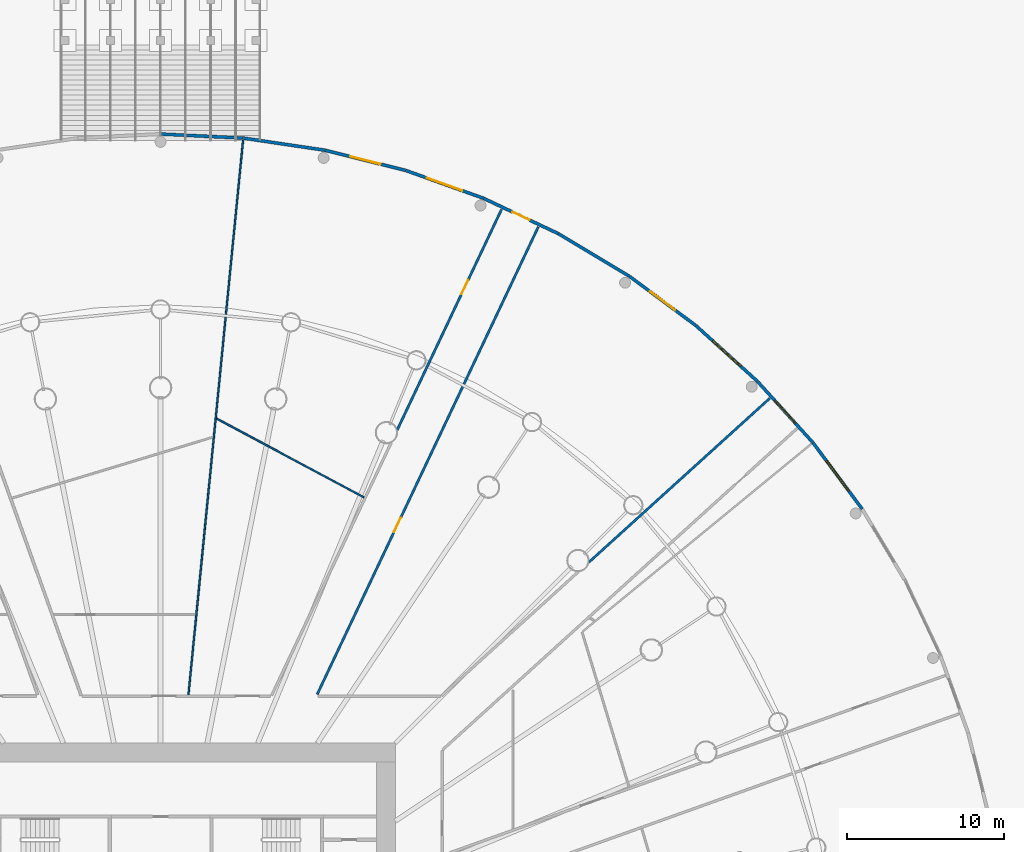
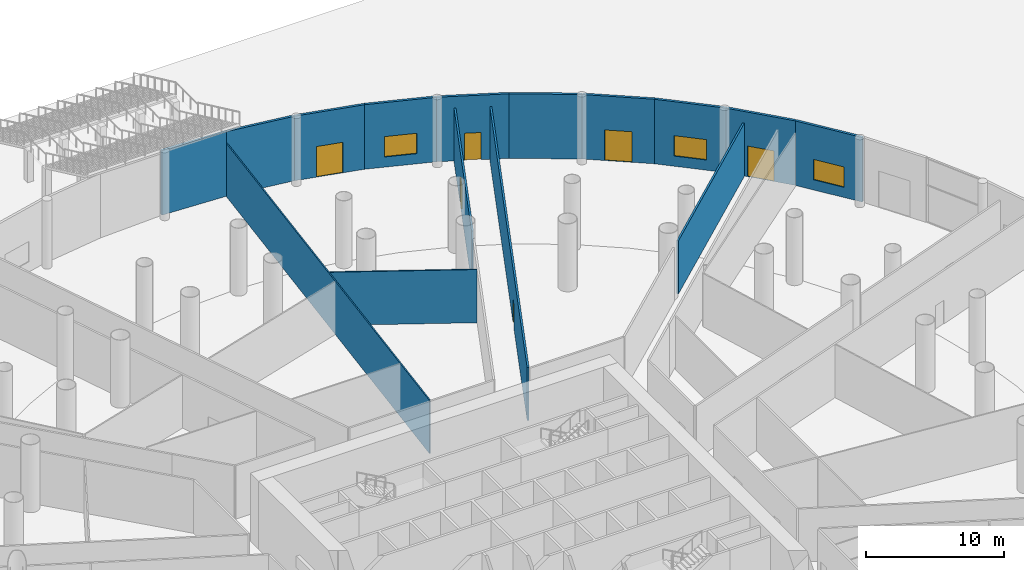
# One storey, part 23 of 33: 15 walls, 6 doors, 3 windows, 9 openings.
"""IFC4 building model written with IfcOpenShell, lengths in metres."""

from ifc_helpers import new_model, si_unit, direction, frame, frame_2d, origin, place, context, subcontext, project, spatial, rectangle, extrude, material, layer, layer_set, type_object, element, fill, save


model = new_model("IFC4")

# Units and contexts
model_context = context("Model", 3, precision=1e-05, world=origin(), true_north=direction((0.0, 1.0)))
body_context = subcontext(model_context, "Body", "Model", "MODEL_VIEW")
ifc_project = project(units=[si_unit("LENGTHUNIT", "METRE"), si_unit("AREAUNIT", "SQUARE_METRE"), si_unit("VOLUMEUNIT", "CUBIC_METRE"), si_unit("PLANEANGLEUNIT", "RADIAN"), si_unit("MASSUNIT", "GRAM", prefix="KILO")], contexts=[model_context])

# Site, building, storey
site_placement = place(None, origin())
site = spatial("IfcSite", under=ifc_project, at=site_placement, CompositionType="ELEMENT")
building_placement = place(site_placement, origin())
building = spatial("IfcBuilding", under=site, at=building_placement, Name="Corvane Civic Tower", CompositionType="ELEMENT")
storey_placement = place(building_placement, origin())
storey = spatial("IfcBuildingStorey", under=building, at=storey_placement, Name="G", CompositionType="ELEMENT", Elevation=0.0)

# Walls
ifc_material_1 = material(Name="Limestone cladding", Category="masonry")
ifc_layer_1 = layer(ifc_material_1, 0.199951171875)
ifc_layer_set_1 = layer_set([ifc_layer_1], Name="Limestone cladding")
wall_type_1 = type_object("IfcWallType", Name="PODIUM-W-PLINTH-200", PredefinedType="SOLIDWALL", material=ifc_layer_set_1)
for number, where, z_axis, x_axis, name in (
    (1, (0.005126953125, 53.899658203125, 0.0), (0.0, 0.0, 1.0), (0.998795550715, -0.0490657505, 0.0), "Plinth stone wall 01A"),
    (2, (5.2880859375, 53.6396484375, 0.0), (0.0, 0.0, 1.0), (0.989175884212, -0.146734692875, 0.0), "Plinth stone wall 01B"),
):
    element("IfcWall", number, at=place(storey_placement, frame(where, z_axis=z_axis, x_axis=x_axis)), inside=storey, type_object=wall_type_1, Name=name, PredefinedType="SOLIDWALL", context=body_context, shape_type="SweptSolid", body=[
        extrude(rectangle(XDim=5.279296875, YDim=0.199951171875, at=frame_2d((2.6396484375, 0.0))), origin(), (0.0, 0.0, 1.0), 5.699951171875),
    ])

# Wall, opening, door
wall_1_placement = place(storey_placement, frame((10.520263671875, 52.863037109375, 0.0), z_axis=(0.0, 0.0, 1.0), x_axis=(0.970022690602, -0.243014361132, 0.0)))
wall_1 = element("IfcWall", 3, at=wall_1_placement, inside=storey, type_object=wall_type_1, Name="Plinth stone wall 02A", PredefinedType="SOLIDWALL", context=body_context, shape_type="SweptSolid", body=[
    extrude(rectangle(XDim=5.279296875, YDim=0.199951171875, at=frame_2d((2.6396484375, 0.0))), origin(), (0.0, 0.0, 1.0), 5.699951171875),
])
opening_1_placement = place(wall_1_placement, frame((1.6396484375, 0.0, 0.0)))
opening_1 = element("IfcOpeningElement", 4, at=opening_1_placement, cuts=wall_1, Name="Opening ED-G-X02", PredefinedType="OPENING", context=body_context, shape_type="SweptSolid", body=[
    extrude(rectangle(XDim=2.0, YDim=2.699951171875, at=frame_2d((1.0, 1.35009765625))), frame((0.0, 0.10986328125, 0.0), z_axis=(0.0, -1.0, 0.0), x_axis=(1.0, 0.0, 0.0)), (0.0, 0.0, 1.0), 0.219970703125),
])
ifc_material_2 = material(Name="Anodised aluminium and glass", Category="aluminium")
door_type_1 = type_object("IfcDoorType", Name="PODIUM-D-EXIT-2000", OperationType="DOUBLE_DOOR_SINGLE_SWING", PredefinedType="DOOR", material=ifc_material_2)
door_1_placement = place(opening_1_placement, origin())
door_1 = element("IfcDoor", 5, at=door_1_placement, inside=storey, type_object=door_type_1, Name="Exit door 02", OperationType="DOUBLE_DOOR_SINGLE_SWING", OverallHeight=2.699951171875, OverallWidth=2.0, PredefinedType="DOOR", context=body_context, shape_type="SweptSolid", body=[
    extrude(rectangle(XDim=2.0, YDim=2.699951171875, at=frame_2d((1.0, 1.35009765625))), frame((0.0, 0.02490234375, 0.0), z_axis=(0.0, -1.0, 0.0), x_axis=(1.0, 0.0, 0.0)), (0.0, 0.0, 1.0), 0.050048828125),
])
fill(opening_1, door_1)

# Wall, opening, window
wall_2_placement = place(storey_placement, frame((15.65087890625, 51.577392578125, 0.0), z_axis=(0.0, 0.0, 1.0), x_axis=(0.941528288028, -0.336933944331, 0.0)))
wall_2 = element("IfcWall", 6, at=wall_2_placement, inside=storey, type_object=wall_type_1, Name="Plinth stone wall 02B", PredefinedType="SOLIDWALL", context=body_context, shape_type="SweptSolid", body=[
    extrude(rectangle(XDim=5.279296875, YDim=0.199951171875, at=frame_2d((2.6396484375, 0.0))), origin(), (0.0, 0.0, 1.0), 5.699951171875),
])
opening_2_placement = place(wall_2_placement, frame((1.439697265625, 0.0, 0.89990234375)))
opening_2 = element("IfcOpeningElement", 7, at=opening_2_placement, cuts=wall_2, Name="Opening EW-G-02", PredefinedType="OPENING", context=body_context, shape_type="SweptSolid", body=[
    extrude(rectangle(XDim=2.39990234375, YDim=1.800048828125, at=frame_2d((1.199951171875, 0.89990234375))), frame((0.0, 0.10986328125, 0.0), z_axis=(0.0, -1.0, 0.0), x_axis=(1.0, 0.0, 0.0)), (0.0, 0.0, 1.0), 0.219970703125),
])
ifc_material_3 = material(Name="Anodised aluminium and glass", Category="aluminium")
window_type = type_object("IfcWindowType", Name="PODIUM-WN-PLINTH-2400x1800", PartitioningType="DOUBLE_PANEL_VERTICAL", PredefinedType="WINDOW", material=ifc_material_3)
window_1_placement = place(opening_2_placement, origin())
window_1 = element("IfcWindow", 8, at=window_1_placement, inside=storey, type_object=window_type, Name="Public hall window 02", OverallHeight=1.800048828125, OverallWidth=2.39990234375, PartitioningType="SINGLE_PANEL", PredefinedType="WINDOW", context=body_context, shape_type="SweptSolid", body=[
    extrude(rectangle(XDim=2.39990234375, YDim=1.800048828125, at=frame_2d((1.199951171875, 0.89990234375))), frame((0.0, 0.030029296875, 0.0), z_axis=(0.0, -1.0, 0.0), x_axis=(1.0, 0.0, 0.0)), (0.0, 0.0, 1.0), 0.06005859375),
])
fill(opening_2, window_1)

# Wall, opening, door
wall_3_placement = place(storey_placement, frame((20.631103515625, 49.794677734375, 0.0), z_axis=(0.0, 0.0, 1.0), x_axis=(0.903998505851, -0.427535614211, 0.0)))
wall_3 = element("IfcWall", 9, at=wall_3_placement, inside=storey, type_object=wall_type_1, Name="Plinth stone wall 03A", PredefinedType="SOLIDWALL", context=body_context, shape_type="SweptSolid", body=[
    extrude(rectangle(XDim=5.279296875, YDim=0.199951171875, at=frame_2d((2.6396484375, 0.0))), origin(), (0.0, 0.0, 1.0), 5.699951171875),
])
opening_3_placement = place(wall_3_placement, frame((2.03955078125, 0.0, 0.0)))
opening_3 = element("IfcOpeningElement", 10, at=opening_3_placement, cuts=wall_3, Name="Opening ED-G-S03", PredefinedType="OPENING", context=body_context, shape_type="SweptSolid", body=[
    extrude(rectangle(XDim=1.199951171875, YDim=2.39990234375, at=frame_2d((0.60009765625, 1.199951171875))), frame((0.0, 0.10986328125, 0.0), z_axis=(0.0, -1.0, 0.0), x_axis=(1.0, 0.0, 0.0)), (0.0, 0.0, 1.0), 0.219970703125),
])
ifc_material_4 = material(Name="Galvanised steel", Category="steel")
door_type_2 = type_object("IfcDoorType", Name="PODIUM-D-SERVICE-1200", OperationType="SINGLE_SWING_LEFT", PredefinedType="DOOR", material=ifc_material_4)
door_2_placement = place(opening_3_placement, origin())
door_2 = element("IfcDoor", 11, at=door_2_placement, inside=storey, type_object=door_type_2, Name="Service door 03", OperationType="SINGLE_SWING_RIGHT", OverallHeight=2.39990234375, OverallWidth=1.199951171875, PredefinedType="DOOR", context=body_context, shape_type="SweptSolid", body=[
    extrude(rectangle(XDim=1.199951171875, YDim=2.39990234375, at=frame_2d((0.60009765625, 1.199951171875))), frame((0.0, 0.02490234375, 0.0), z_axis=(0.0, -1.0, 0.0), x_axis=(1.0, 0.0, 0.0)), (0.0, 0.0, 1.0), 0.050048828125),
])
fill(opening_3, door_2)

# Wall
wall_4_placement = place(storey_placement, frame((25.41259765625, 47.532958984375, 0.0), z_axis=(0.0, 0.0, 1.0), x_axis=(0.857721349929, -0.514114856697, 0.0)))
element("IfcWall", 12, at=wall_4_placement, inside=storey, type_object=wall_type_1, Name="Plinth stone wall 03B", PredefinedType="SOLIDWALL", context=body_context, shape_type="SweptSolid", body=[
    extrude(rectangle(XDim=5.279296875, YDim=0.199951171875, at=frame_2d((2.6396484375, 0.0))), origin(), (0.0, 0.0, 1.0), 5.699951171875),
])

# Wall, opening, door
wall_5_placement = place(storey_placement, frame((29.94921875, 44.81298828125, 0.0), z_axis=(0.0, 0.0, 1.0), x_axis=(0.803223646903, -0.595677574746, 0.0)))
wall_5 = element("IfcWall", 13, at=wall_5_placement, inside=storey, type_object=wall_type_1, Name="Plinth stone wall 04A", PredefinedType="SOLIDWALL", context=body_context, shape_type="SweptSolid", body=[
    extrude(rectangle(XDim=5.279296875, YDim=0.199951171875, at=frame_2d((2.6396484375, 0.0))), origin(), (0.0, 0.0, 1.0), 5.699951171875),
])
opening_4_placement = place(wall_5_placement, frame((1.6396484375, 0.0, 0.0)))
opening_4 = element("IfcOpeningElement", 14, at=opening_4_placement, cuts=wall_5, Name="Opening ED-G-X04", PredefinedType="OPENING", context=body_context, shape_type="SweptSolid", body=[
    extrude(rectangle(XDim=2.0, YDim=2.699951171875, at=frame_2d((1.0, 1.35009765625))), frame((0.0, 0.10986328125, 0.0), z_axis=(0.0, -1.0, 0.0), x_axis=(1.0, 0.0, 0.0)), (0.0, 0.0, 1.0), 0.219970703125),
])
door_3_placement = place(opening_4_placement, origin())
door_3 = element("IfcDoor", 15, at=door_3_placement, inside=storey, type_object=door_type_1, Name="Exit door 04", OperationType="DOUBLE_DOOR_SINGLE_SWING", OverallHeight=2.699951171875, OverallWidth=2.0, PredefinedType="DOOR", context=body_context, shape_type="SweptSolid", body=[
    extrude(rectangle(XDim=2.0, YDim=2.699951171875, at=frame_2d((1.0, 1.35009765625))), frame((0.0, 0.02490234375, 0.0), z_axis=(0.0, -1.0, 0.0), x_axis=(1.0, 0.0, 0.0)), (0.0, 0.0, 1.0), 0.050048828125),
])
fill(opening_4, door_3)

# Wall, opening, window
wall_6_placement = place(storey_placement, frame((34.197509765625, 41.661865234375, 0.0), z_axis=(0.0, 0.0, 1.0), x_axis=(0.740960345318, -0.671548782045, 0.0)))
wall_6 = element("IfcWall", 16, at=wall_6_placement, inside=storey, type_object=wall_type_1, Name="Plinth stone wall 04B", PredefinedType="SOLIDWALL", context=body_context, shape_type="SweptSolid", body=[
    extrude(rectangle(XDim=5.279541015625, YDim=0.199951171875, at=frame_2d((2.6396484375, 0.0))), origin(), (0.0, 0.0, 1.0), 5.699951171875),
])
opening_5_placement = place(wall_6_placement, frame((1.439697265625, 0.0, 0.89990234375)))
opening_5 = element("IfcOpeningElement", 17, at=opening_5_placement, cuts=wall_6, Name="Opening EW-G-04", PredefinedType="OPENING", context=body_context, shape_type="SweptSolid", body=[
    extrude(rectangle(XDim=2.39990234375, YDim=1.800048828125, at=frame_2d((1.199951171875, 0.89990234375))), frame((0.0, 0.10986328125, 0.0), z_axis=(0.0, -1.0, 0.0), x_axis=(1.0, 0.0, 0.0)), (0.0, 0.0, 1.0), 0.219970703125),
])
window_2_placement = place(opening_5_placement, origin())
window_2 = element("IfcWindow", 18, at=window_2_placement, inside=storey, type_object=window_type, Name="Public hall window 04", OverallHeight=1.800048828125, OverallWidth=2.39990234375, PartitioningType="SINGLE_PANEL", PredefinedType="WINDOW", context=body_context, shape_type="SweptSolid", body=[
    extrude(rectangle(XDim=2.39990234375, YDim=1.800048828125, at=frame_2d((1.199951171875, 0.89990234375))), frame((0.0, 0.030029296875, 0.0), z_axis=(0.0, -1.0, 0.0), x_axis=(1.0, 0.0, 0.0)), (0.0, 0.0, 1.0), 0.06005859375),
])
fill(opening_5, window_2)

# Wall, opening, door
wall_7_placement = place(storey_placement, frame((38.116455078125, 38.109375, 0.0), z_axis=(0.0, 0.0, 1.0), x_axis=(0.671548782045, -0.740960345318, 0.0)))
wall_7 = element("IfcWall", 19, at=wall_7_placement, inside=storey, type_object=wall_type_1, Name="Plinth stone wall 05A", PredefinedType="SOLIDWALL", context=body_context, shape_type="SweptSolid", body=[
    extrude(rectangle(XDim=5.279541015625, YDim=0.199951171875, at=frame_2d((2.6396484375, 0.0))), origin(), (0.0, 0.0, 1.0), 5.699951171875),
])
opening_6_placement = place(wall_7_placement, frame((1.6396484375, 0.0, 0.0)))
opening_6 = element("IfcOpeningElement", 20, at=opening_6_placement, cuts=wall_7, Name="Opening ED-G-X05", PredefinedType="OPENING", context=body_context, shape_type="SweptSolid", body=[
    extrude(rectangle(XDim=2.0, YDim=2.699951171875, at=frame_2d((1.0, 1.35009765625))), frame((0.0, 0.10986328125, 0.0), z_axis=(0.0, -1.0, 0.0), x_axis=(1.0, 0.0, 0.0)), (0.0, 0.0, 1.0), 0.219970703125),
])
door_4_placement = place(opening_6_placement, origin())
door_4 = element("IfcDoor", 21, at=door_4_placement, inside=storey, type_object=door_type_1, Name="Exit door 05", OperationType="DOUBLE_DOOR_SINGLE_SWING", OverallHeight=2.699951171875, OverallWidth=2.0, PredefinedType="DOOR", context=body_context, shape_type="SweptSolid", body=[
    extrude(rectangle(XDim=2.0, YDim=2.699951171875, at=frame_2d((1.0, 1.35009765625))), frame((0.0, 0.02490234375, 0.0), z_axis=(0.0, -1.0, 0.0), x_axis=(1.0, 0.0, 0.0)), (0.0, 0.0, 1.0), 0.050048828125),
])
fill(opening_6, door_4)

# Wall, opening, window
wall_8_placement = place(storey_placement, frame((41.668212890625, 34.189697265625, 0.0), z_axis=(0.0, 0.0, 1.0), x_axis=(0.595677574746, -0.803223646903, 0.0)))
wall_8 = element("IfcWall", 22, at=wall_8_placement, inside=storey, type_object=wall_type_1, Name="Plinth stone wall 05B", PredefinedType="SOLIDWALL", context=body_context, shape_type="SweptSolid", body=[
    extrude(rectangle(XDim=5.279296875, YDim=0.199951171875, at=frame_2d((2.6396484375, 0.0))), origin(), (0.0, 0.0, 1.0), 5.699951171875),
])
opening_7_placement = place(wall_8_placement, frame((1.439697265625, 0.0, 0.89990234375)))
opening_7 = element("IfcOpeningElement", 23, at=opening_7_placement, cuts=wall_8, Name="Opening EW-G-05", PredefinedType="OPENING", context=body_context, shape_type="SweptSolid", body=[
    extrude(rectangle(XDim=2.39990234375, YDim=1.800048828125, at=frame_2d((1.199951171875, 0.89990234375))), frame((0.0, 0.10986328125, 0.0), z_axis=(0.0, -1.0, 0.0), x_axis=(1.0, 0.0, 0.0)), (0.0, 0.0, 1.0), 0.219970703125),
])
window_3_placement = place(opening_7_placement, origin())
window_3 = element("IfcWindow", 24, at=window_3_placement, inside=storey, type_object=window_type, Name="Public hall window 05", OverallHeight=1.800048828125, OverallWidth=2.39990234375, PartitioningType="SINGLE_PANEL", PredefinedType="WINDOW", context=body_context, shape_type="SweptSolid", body=[
    extrude(rectangle(XDim=2.39990234375, YDim=1.800048828125, at=frame_2d((1.199951171875, 0.89990234375))), frame((0.0, 0.030029296875, 0.0), z_axis=(0.0, -1.0, 0.0), x_axis=(1.0, 0.0, 0.0)), (0.0, 0.0, 1.0), 0.06005859375),
])
fill(opening_7, window_3)

# Walls
ifc_material_5 = material(Name="Plasterboard")
ifc_layer_2 = layer(ifc_material_5, 0.10009765625)
ifc_layer_set_2 = layer_set([ifc_layer_2], Name="Plasterboard")
wall_type_2 = type_object("IfcWallType", Name="Partition 100 plasterboard on studs", PredefinedType="PARTITIONING", material=ifc_layer_set_2)
wall_9_placement = place(storey_placement, frame((1.78076171875, 18.079833984375, 0.0), z_axis=(0.0, 0.0, 1.0), x_axis=(0.098012481472, 0.995185185519, 0.0)))
element("IfcWall", 25, at=wall_9_placement, inside=storey, type_object=wall_type_2, Name="Partition G.082", PredefinedType="PARTITIONING", context=body_context, shape_type="SweptSolid", body=[
    extrude(rectangle(XDim=35.582763671875, YDim=0.10009765625, at=frame_2d((17.79150390625, 0.0))), origin(), (0.0, 0.0, 1.0), 4.699951171875),
])
wall_10_placement = place(storey_placement, frame((3.587646484375, 35.72021484375, 0.0), z_axis=(0.0, 0.0, 1.0), x_axis=(0.881926089625, -0.471387709258, 0.0)))
element("IfcWall", 26, at=wall_10_placement, inside=storey, type_object=wall_type_2, Name="Partition G.095", PredefinedType="PARTITIONING", context=body_context, shape_type="SweptSolid", body=[
    extrude(rectangle(XDim=10.66455078125, YDim=0.10009765625, at=frame_2d((5.332275390625, 0.0))), origin(), (0.0, 0.0, 1.0), 4.699951171875),
])

# Wall, opening, door
ifc_material_6 = material(Name="Plasterboard")
ifc_layer_3 = layer(ifc_material_6, 0.14990234375)
ifc_layer_set_3 = layer_set([ifc_layer_3], Name="Plasterboard")
wall_type_3 = type_object("IfcWallType", Name="Tenancy wall 150 EI 60", PredefinedType="PARTITIONING", material=ifc_layer_set_3)
wall_11_placement = place(storey_placement, frame((10.002197265625, 18.107177734375, 0.0), z_axis=(0.0, 0.0, 1.0), x_axis=(0.427554865674, 0.903989400844, 0.0)))
wall_11 = element("IfcWall", 27, at=wall_11_placement, inside=storey, type_object=wall_type_3, Name="Partition G.084", PredefinedType="PARTITIONING", context=body_context, shape_type="SweptSolid", body=[
    extrude(rectangle(XDim=33.0400390625, YDim=0.14990234375, at=frame_2d((16.52001953125, 0.0))), origin(), (0.0, 0.0, 1.0), 4.699951171875),
])
opening_8_placement = place(wall_11_placement, frame((11.483154296875, 0.0, 0.0)))
opening_8 = element("IfcOpeningElement", 28, at=opening_8_placement, cuts=wall_11, Name="Opening G.002", PredefinedType="OPENING", context=body_context, shape_type="SweptSolid", body=[
    extrude(rectangle(XDim=1.0, YDim=2.10009765625, at=frame_2d((0.5, 1.050048828125))), frame((0.0, 0.0849609375, 0.0), z_axis=(0.0, -1.0, 0.0), x_axis=(1.0, 0.0, 0.0)), (0.0, 0.0, 1.0), 0.169921875),
])
ifc_material_7 = material(Name="Steel and timber", Category="steel")
door_type_3 = type_object("IfcDoorType", Name="Fire door FD30S 1000", OperationType="NOTDEFINED", PredefinedType="DOOR", material=ifc_material_7)
door_5_placement = place(opening_8_placement, frame((1.0, 0.0, 0.0), z_axis=(0.0, 0.0, 1.0), x_axis=(-1.0, 0.0, 0.0)))
door_5 = element("IfcDoor", 29, at=door_5_placement, inside=storey, type_object=door_type_3, Name="Door G.002", OperationType="SINGLE_SWING_LEFT", OverallHeight=2.10009765625, OverallWidth=1.0, PredefinedType="DOOR", context=body_context, shape_type="SweptSolid", body=[
    extrude(rectangle(XDim=1.0, YDim=2.10009765625, at=frame_2d((0.5, 1.050048828125))), frame((0.0, 0.02490234375, 0.0), z_axis=(0.0, -1.0, 0.0), x_axis=(1.0, 0.0, 0.0)), (0.0, 0.0, 1.0), 0.050048828125),
])
fill(opening_8, door_5)

# Wall
wall_12_placement = place(storey_placement, frame((27.359130859375, 26.55126953125, 0.0), z_axis=(0.0, 0.0, 1.0), x_axis=(0.740950163843, 0.67156001571, 0.0)))
element("IfcWall", 30, at=wall_12_placement, inside=storey, type_object=wall_type_3, Name="Partition G.090", PredefinedType="PARTITIONING", context=body_context, shape_type="SweptSolid", body=[
    extrude(rectangle(XDim=15.5830078125, YDim=0.14990234375, at=frame_2d((7.79150390625, 0.0))), origin(), (0.0, 0.0, 1.0), 4.699951171875),
])

# Wall, opening, door
wall_13_placement = place(storey_placement, frame((15.11572265625, 35.000244140625, 0.0), z_axis=(0.0, 0.0, 1.0), x_axis=(0.427566339431, 0.903983974075, 0.0)))
wall_13 = element("IfcWall", 31, at=wall_13_placement, inside=storey, type_object=wall_type_3, Name="Partition G.096", PredefinedType="PARTITIONING", context=body_context, shape_type="SweptSolid", body=[
    extrude(rectangle(XDim=15.58251953125, YDim=0.14990234375, at=frame_2d((7.791259765625, 0.0))), origin(), (0.0, 0.0, 1.0), 4.699951171875),
])
opening_9_placement = place(wall_13_placement, frame((9.590576171875, 0.0, 0.0)))
opening_9 = element("IfcOpeningElement", 32, at=opening_9_placement, cuts=wall_13, Name="Opening G.003", PredefinedType="OPENING", context=body_context, shape_type="SweptSolid", body=[
    extrude(rectangle(XDim=1.0, YDim=2.10009765625, at=frame_2d((0.5, 1.050048828125))), frame((0.0, 0.0849609375, 0.0), z_axis=(0.0, -1.0, 0.0), x_axis=(1.0, 0.0, 0.0)), (0.0, 0.0, 1.0), 0.169921875),
])
door_6_placement = place(opening_9_placement, origin())
door_6 = element("IfcDoor", 33, at=door_6_placement, inside=storey, type_object=door_type_3, Name="Door G.003", OperationType="SINGLE_SWING_RIGHT", OverallHeight=2.10009765625, OverallWidth=1.0, PredefinedType="DOOR", context=body_context, shape_type="SweptSolid", body=[
    extrude(rectangle(XDim=1.0, YDim=2.10009765625, at=frame_2d((0.5, 1.050048828125))), frame((0.0, 0.02490234375, 0.0), z_axis=(0.0, -1.0, 0.0), x_axis=(1.0, 0.0, 0.0)), (0.0, 0.0, 1.0), 0.050048828125),
])
fill(opening_9, door_6)

save(model, "model.ifc")
